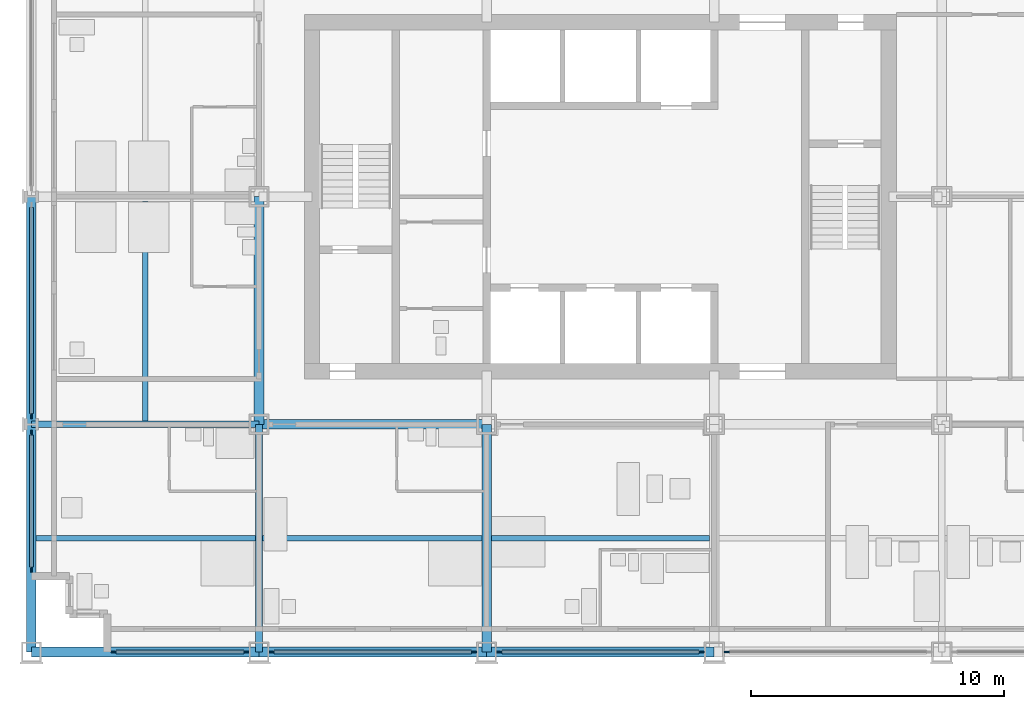
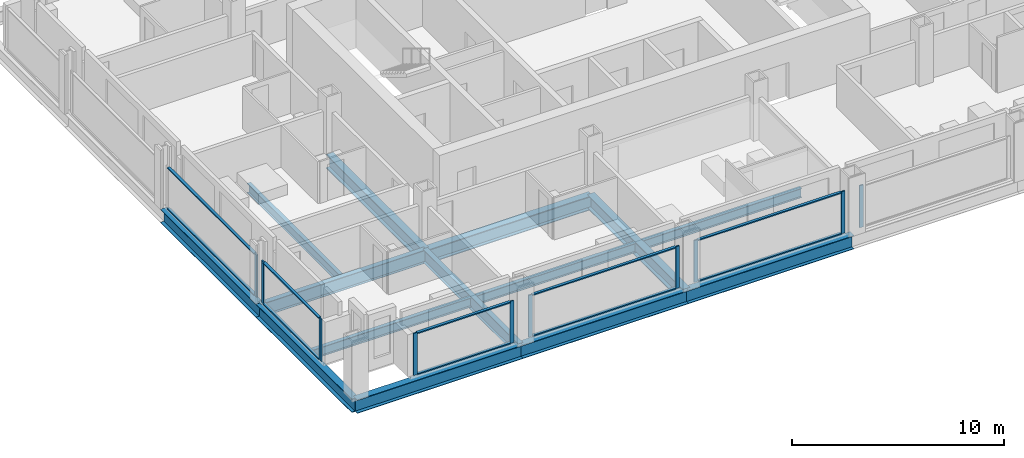
# One storey, part 2 of 18: 20 members, 14 beams, 6 elements without a shape of their own.
"""IFC4 building model written with IfcOpenShell, lengths in metres."""

from ifc_helpers import new_model, si_unit, direction, frame, origin, origin_2d, place, context, subcontext, project, spatial, rectangle, i_section, extrude, material, material_profile, profile_set, type_object, element, aggregate, save


model = new_model("IFC4")

# Units and contexts
model_context = context("Model", 3, precision=1e-05, world=origin(), true_north=direction((0.0, 1.0)))
body_context = subcontext(model_context, "Body", "Model", "MODEL_VIEW")
ifc_project = project(units=[si_unit("LENGTHUNIT", "METRE"), si_unit("AREAUNIT", "SQUARE_METRE"), si_unit("VOLUMEUNIT", "CUBIC_METRE"), si_unit("PLANEANGLEUNIT", "RADIAN"), si_unit("MASSUNIT", "GRAM", prefix="KILO")], contexts=[model_context])

# Site, building, storey
site_placement = place(None, origin())
site = spatial("IfcSite", under=ifc_project, at=site_placement, CompositionType="ELEMENT")
building_placement = place(site_placement, origin())
building = spatial("IfcBuilding", under=site, at=building_placement, Name="Loomwork Tower", CompositionType="ELEMENT")
storey_placement = place(building_placement, frame((0.0, 0.0, 75.60009765625)))
storey = spatial("IfcBuildingStorey", under=building, at=storey_placement, Name="L19", CompositionType="ELEMENT", Elevation=75.60009765625)

# Beams
ifc_material_1 = material(Name="Steel ASTM A992", Category="steel")
ifc_material_profile_1 = material_profile(ifc_material_1, i_section(OverallWidth=0.383544921875, OverallDepth=0.794921875, WebThickness=0.02099609375, FlangeThickness=0.0380859375, at=origin_2d()), Name="W30x235")
ifc_profile_set_1 = profile_set([ifc_material_profile_1], Name="Steel ASTM A992")
beam_type_1 = type_object("IfcBeamType", Name="CORE FLANK GIRDER W30x235", PredefinedType="BEAM", material=ifc_profile_set_1)
for number, where, z_axis, x_axis, name in (
    (1, (9.0, 9.0, -0.59765625), (1.0, 0.0, 0.0), (0.0, 1.0, 0.0), "Core Flank Girder E/3-E/4 L19"),
    (2, (9.0, 9.0, -0.59765625), (0.0, 1.0, 0.0), (-1.0, 0.0, 0.0), "Core Flank Girder E/3-F/3 L19"),
    (3, (18.0, 0.0, -0.59765625), (0.0, 1.0, 0.0), (-1.0, 0.0, 0.0), "Core Flank Girder D/4-E/4 L19"),
):
    element("IfcBeam", number, at=place(storey_placement, frame(where, z_axis=z_axis, x_axis=x_axis)), inside=storey, type_object=beam_type_1, Name=name, PredefinedType="BEAM", context=body_context, shape_type="SweptSolid", body=[
        extrude(i_section(OverallWidth=0.383544921875, OverallDepth=0.794921875, WebThickness=0.02099609375, FlangeThickness=0.0380859375, at=origin_2d()), origin(), (0.0, 0.0, 1.0), 9.0),
    ])
ifc_material_2 = material(Name="Steel ASTM A992", Category="steel")
ifc_material_profile_2 = material_profile(ifc_material_2, i_section(OverallWidth=0.2666015625, OverallDepth=0.761962890625, WebThickness=0.014404296875, FlangeThickness=0.021484375, at=origin_2d()), Name="W30x116")
ifc_profile_set_2 = profile_set([ifc_material_profile_2], Name="Steel ASTM A992")
beam_type_2 = type_object("IfcBeamType", Name="FLOOR GIRDER W30x116", PredefinedType="BEAM", material=ifc_profile_set_2)
for number, where, z_axis, x_axis, name in (
    (4, (0.0, 9.0, -0.5810546875), (1.0, 0.0, 0.0), (0.0, 1.0, 0.0), "Floor Girder E/2-E/3 L19"),
    (5, (9.0, 0.0, -0.5810546875), (0.0, 1.0, 0.0), (-1.0, 0.0, 0.0), "Floor Girder D/3-E/3 L19"),
):
    element("IfcBeam", number, at=place(storey_placement, frame(where, z_axis=z_axis, x_axis=x_axis)), inside=storey, type_object=beam_type_2, Name=name, PredefinedType="BEAM", context=body_context, shape_type="SweptSolid", body=[
        extrude(i_section(OverallWidth=0.2666015625, OverallDepth=0.761962890625, WebThickness=0.014404296875, FlangeThickness=0.021484375, at=origin_2d()), origin(), (0.0, 0.0, 1.0), 9.0),
    ])
ifc_material_3 = material(Name="Steel ASTM A992", Category="steel")
ifc_material_profile_3 = material_profile(ifc_material_3, i_section(OverallWidth=0.2109375, OverallDepth=0.53857421875, WebThickness=0.011474609375, FlangeThickness=0.018798828125, at=origin_2d()), Name="W21x73")
ifc_profile_set_3 = profile_set([ifc_material_profile_3], Name="Steel ASTM A992")
beam_type_3 = type_object("IfcBeamType", Name="FLOOR JOIST W21x73", PredefinedType="JOIST", material=ifc_profile_set_3)
beam_1_placement = place(storey_placement, frame((0.18994140625, 4.5, -0.46923828125), z_axis=(1.0, 0.0, 0.0), x_axis=(0.0, 1.0, 0.0)))
element("IfcBeam", 6, at=beam_1_placement, inside=storey, type_object=beam_type_3, Name="Floor Joist 0.000,4.500-9.000,4.500 L19", PredefinedType="JOIST", context=body_context, shape_type="SweptSolid", body=[
    extrude(i_section(OverallWidth=0.2109375, OverallDepth=0.53857421875, WebThickness=0.011474609375, FlangeThickness=0.018798828125, at=origin_2d()), origin(), (0.0, 0.0, 1.0), 8.677001953125),
])
for number, where, z_axis, x_axis, name in (
    (7, (4.5, 9.133056640625, -0.46923828125), (0.0, 1.0, 0.0), (-1.0, 0.0, 0.0), "Floor Joist 4.500,9.000-4.500,18.000 L19"),
    (8, (9.133056640625, 4.5, -0.46923828125), (1.0, 0.0, 0.0), (0.0, 1.0, 0.0), "Floor Joist 9.000,4.500-18.000,4.500 L19"),
):
    element("IfcBeam", number, at=place(storey_placement, frame(where, z_axis=z_axis, x_axis=x_axis)), inside=storey, type_object=beam_type_3, Name=name, PredefinedType="JOIST", context=body_context, shape_type="SweptSolid", body=[
        extrude(i_section(OverallWidth=0.2109375, OverallDepth=0.53857421875, WebThickness=0.011474609375, FlangeThickness=0.018798828125, at=origin_2d()), origin(), (0.0, 0.0, 1.0), 8.676025390625),
    ])
beam_2_placement = place(storey_placement, frame((18.19091796875, 4.5, -0.46923828125), z_axis=(1.0, 0.0, 0.0), x_axis=(0.0, 1.0, 0.0)))
element("IfcBeam", 9, at=beam_2_placement, inside=storey, type_object=beam_type_3, Name="Floor Joist 18.000,4.500-27.000,4.500 L19", PredefinedType="JOIST", context=body_context, shape_type="SweptSolid", body=[
    extrude(i_section(OverallWidth=0.2109375, OverallDepth=0.53857421875, WebThickness=0.011474609375, FlangeThickness=0.018798828125, at=origin_2d()), origin(), (0.0, 0.0, 1.0), 8.6181640625),
])

# Curtain wall, members
ifc_material_4 = material(Name="Aluminium curtain wall frame", Category="aluminium")
curtain_wall_type = type_object("IfcCurtainWallType", Name="Outer skin glazing hotel", PredefinedType="NOTDEFINED", material=ifc_material_4)
curtain_wall_1_placement = place(storey_placement, origin())
curtain_wall_1 = element("IfcCurtainWall", 10, at=curtain_wall_1_placement, inside=storey, type_object=curtain_wall_type, Name="Outer skin glazing hotel cw/S-0", PredefinedType="NOTDEFINED")
ifc_material_5 = material(Name="Aluminium curtain wall frame", Category="aluminium")
ifc_material_profile_4 = material_profile(ifc_material_5, rectangle(XDim=0.06494140625, YDim=0.199951171875, at=origin_2d()), Name="AL 65x200")
ifc_profile_set_4 = profile_set([ifc_material_profile_4], Name="Aluminium curtain wall frame")
member_type_1 = type_object("IfcMemberType", Name="Outer skin glazing hotel mullion", PredefinedType="MULLION", material=ifc_profile_set_4)
member_1_placement = place(storey_placement, frame((3.25, 0.0, 0.0), z_axis=(0.0, 0.0, 1.0), x_axis=(0.0, 1.0, 0.0)))
member_1 = element("IfcMember", 11, at=member_1_placement, type_object=member_type_1, Name="CW1 mullion 1", PredefinedType="MULLION", context=body_context, shape_type="SweptSolid", body=[
    extrude(rectangle(XDim=0.06494140625, YDim=0.199951171875, at=origin_2d()), origin(), (0.0, 0.0, 1.0), 2.420166015625),
])
member_2_placement = place(storey_placement, frame((8.5, 0.0, 0.0), z_axis=(0.0, 0.0, 1.0), x_axis=(0.0, 1.0, 0.0)))
member_2 = element("IfcMember", 12, at=member_2_placement, type_object=member_type_1, Name="CW1 mullion 2", PredefinedType="MULLION", context=body_context, shape_type="SweptSolid", body=[
    extrude(rectangle(XDim=0.06494140625, YDim=0.199951171875, at=origin_2d()), origin(), (0.0, 0.0, 1.0), 2.420166015625),
])

curtain_wall_2_placement = place(storey_placement, origin())
curtain_wall_2 = element("IfcCurtainWall", 13, at=curtain_wall_2_placement, inside=storey, type_object=curtain_wall_type, Name="Outer skin glazing hotel cw/S-9", PredefinedType="NOTDEFINED")
member_3_placement = place(storey_placement, frame((9.5, 0.0, 0.0), z_axis=(0.0, 0.0, 1.0), x_axis=(0.0, 1.0, 0.0)))
member_3 = element("IfcMember", 14, at=member_3_placement, type_object=member_type_1, Name="CW1 mullion 1", PredefinedType="MULLION", context=body_context, shape_type="SweptSolid", body=[
    extrude(rectangle(XDim=0.06494140625, YDim=0.199951171875, at=origin_2d()), origin(), (0.0, 0.0, 1.0), 2.420166015625),
])
member_4_placement = place(storey_placement, frame((17.5, 0.0, 0.0), z_axis=(0.0, 0.0, 1.0), x_axis=(0.0, 1.0, 0.0)))
member_4 = element("IfcMember", 15, at=member_4_placement, type_object=member_type_1, Name="CW1 mullion 2", PredefinedType="MULLION", context=body_context, shape_type="SweptSolid", body=[
    extrude(rectangle(XDim=0.06494140625, YDim=0.199951171875, at=origin_2d()), origin(), (0.0, 0.0, 1.0), 2.420166015625),
])

curtain_wall_3_placement = place(storey_placement, origin())
curtain_wall_3 = element("IfcCurtainWall", 16, at=curtain_wall_3_placement, inside=storey, type_object=curtain_wall_type, Name="Outer skin glazing hotel cw/S-18", PredefinedType="NOTDEFINED")
member_5_placement = place(storey_placement, frame((18.5, 0.0, 0.0), z_axis=(0.0, 0.0, 1.0), x_axis=(0.0, 1.0, 0.0)))
member_5 = element("IfcMember", 17, at=member_5_placement, type_object=member_type_1, Name="CW1 mullion 1", PredefinedType="MULLION", context=body_context, shape_type="SweptSolid", body=[
    extrude(rectangle(XDim=0.06494140625, YDim=0.199951171875, at=origin_2d()), origin(), (0.0, 0.0, 1.0), 2.420166015625),
])
member_6_placement = place(storey_placement, frame((26.5, 0.0, 0.0), z_axis=(0.0, 0.0, 1.0), x_axis=(0.0, 1.0, 0.0)))
member_6 = element("IfcMember", 18, at=member_6_placement, type_object=member_type_1, Name="CW1 mullion 2", PredefinedType="MULLION", context=body_context, shape_type="SweptSolid", body=[
    extrude(rectangle(XDim=0.06494140625, YDim=0.199951171875, at=origin_2d()), origin(), (0.0, 0.0, 1.0), 2.420166015625),
])

# Curtain wall, member
curtain_wall_4_placement = place(storey_placement, origin())
curtain_wall_4 = element("IfcCurtainWall", 19, at=curtain_wall_4_placement, inside=storey, type_object=curtain_wall_type, Name="Outer skin glazing hotel cw/S-27", PredefinedType="NOTDEFINED")
member_7_placement = place(storey_placement, frame((27.5, 0.0, 0.0), z_axis=(0.0, 0.0, 1.0), x_axis=(0.0, 1.0, 0.0)))
member_7 = element("IfcMember", 20, at=member_7_placement, type_object=member_type_1, Name="CW1 mullion 1", PredefinedType="MULLION", context=body_context, shape_type="SweptSolid", body=[
    extrude(rectangle(XDim=0.06494140625, YDim=0.199951171875, at=origin_2d()), origin(), (0.0, 0.0, 1.0), 2.420166015625),
])
aggregate(curtain_wall_4, [member_7])

# Curtain wall, members
curtain_wall_5_placement = place(storey_placement, origin())
curtain_wall_5 = element("IfcCurtainWall", 21, at=curtain_wall_5_placement, inside=storey, type_object=curtain_wall_type, Name="Outer skin glazing hotel cw/W-0", PredefinedType="NOTDEFINED")
member_8_placement = place(storey_placement, frame((0.0, 8.672607421875, 0.0), z_axis=(0.0, 0.0, 1.0), x_axis=(1.0, 0.0, 0.0)))
member_8 = element("IfcMember", 22, at=member_8_placement, type_object=member_type_1, Name="CW1 mullion 1", PredefinedType="MULLION", context=body_context, shape_type="SweptSolid", body=[
    extrude(rectangle(XDim=0.06494140625, YDim=0.199951171875, at=origin_2d()), origin(), (0.0, 0.0, 1.0), 2.420166015625),
])
member_9_placement = place(storey_placement, frame((0.0, 3.25, 0.0), z_axis=(0.0, 0.0, 1.0), x_axis=(1.0, 0.0, 0.0)))
member_9 = element("IfcMember", 23, at=member_9_placement, type_object=member_type_1, Name="CW1 mullion 2", PredefinedType="MULLION", context=body_context, shape_type="SweptSolid", body=[
    extrude(rectangle(XDim=0.06494140625, YDim=0.199951171875, at=origin_2d()), origin(), (0.0, 0.0, 1.0), 2.420166015625),
])

# Curtain wall, member
curtain_wall_6_placement = place(storey_placement, origin())
curtain_wall_6 = element("IfcCurtainWall", 24, at=curtain_wall_6_placement, inside=storey, type_object=curtain_wall_type, Name="Outer skin glazing hotel cw/W-9", PredefinedType="NOTDEFINED")
member_10_placement = place(storey_placement, frame((0.0, 9.327392578125, 0.0), z_axis=(0.0, 0.0, 1.0), x_axis=(1.0, 0.0, 0.0)))
member_10 = element("IfcMember", 25, at=member_10_placement, type_object=member_type_1, Name="CW1 mullion 2", PredefinedType="MULLION", context=body_context, shape_type="SweptSolid", body=[
    extrude(rectangle(XDim=0.06494140625, YDim=0.199951171875, at=origin_2d()), origin(), (0.0, 0.0, 1.0), 2.420166015625),
])

# Member
ifc_material_6 = material(Name="Aluminium curtain wall frame", Category="aluminium")
ifc_material_profile_5 = material_profile(ifc_material_6, rectangle(XDim=0.14990234375, YDim=0.06494140625, at=origin_2d()), Name="AL 65x150")
ifc_profile_set_5 = profile_set([ifc_material_profile_5], Name="Aluminium curtain wall frame")
member_type_2 = type_object("IfcMemberType", Name="Outer skin glazing hotel transom", PredefinedType="USERDEFINED", material=ifc_profile_set_5)
member_11_placement = place(storey_placement, frame((3.35009765625, 0.0, 0.032470703125), z_axis=(1.0, 0.0, 0.0), x_axis=(0.0, 1.0, 0.0)))
member_11 = element("IfcMember", 26, at=member_11_placement, type_object=member_type_2, Name="CW1 transom 1.1", ObjectType="TRANSOM", PredefinedType="USERDEFINED", context=body_context, shape_type="SweptSolid", body=[
    extrude(rectangle(XDim=0.14990234375, YDim=0.06494140625, at=origin_2d()), origin(), (0.0, 0.0, 1.0), 5.0498046875),
])

member_12_placement = place(storey_placement, frame((3.35009765625, 0.0, 2.3876953125), z_axis=(1.0, 0.0, 0.0), x_axis=(0.0, 1.0, 0.0)))
member_12 = element("IfcMember", 27, at=member_12_placement, type_object=member_type_2, Name="CW1 transom 1.2", ObjectType="TRANSOM", PredefinedType="USERDEFINED", context=body_context, shape_type="SweptSolid", body=[
    extrude(rectangle(XDim=0.14990234375, YDim=0.06494140625, at=origin_2d()), origin(), (0.0, 0.0, 1.0), 5.0498046875),
])

aggregate(curtain_wall_1, [member_1, member_2, member_11, member_12])

member_13_placement = place(storey_placement, frame((9.60009765625, 0.0, 0.032470703125), z_axis=(1.0, 0.0, 0.0), x_axis=(0.0, 1.0, 0.0)))
member_13 = element("IfcMember", 28, at=member_13_placement, type_object=member_type_2, Name="CW1 transom 1.1", ObjectType="TRANSOM", PredefinedType="USERDEFINED", context=body_context, shape_type="SweptSolid", body=[
    extrude(rectangle(XDim=0.14990234375, YDim=0.06494140625, at=origin_2d()), origin(), (0.0, 0.0, 1.0), 7.7998046875),
])

member_14_placement = place(storey_placement, frame((9.60009765625, 0.0, 2.3876953125), z_axis=(1.0, 0.0, 0.0), x_axis=(0.0, 1.0, 0.0)))
member_14 = element("IfcMember", 29, at=member_14_placement, type_object=member_type_2, Name="CW1 transom 1.2", ObjectType="TRANSOM", PredefinedType="USERDEFINED", context=body_context, shape_type="SweptSolid", body=[
    extrude(rectangle(XDim=0.14990234375, YDim=0.06494140625, at=origin_2d()), origin(), (0.0, 0.0, 1.0), 7.7998046875),
])

aggregate(curtain_wall_2, [member_3, member_4, member_13, member_14])

member_15_placement = place(storey_placement, frame((18.60009765625, 0.0, 0.032470703125), z_axis=(1.0, 0.0, 0.0), x_axis=(0.0, 1.0, 0.0)))
member_15 = element("IfcMember", 30, at=member_15_placement, type_object=member_type_2, Name="CW1 transom 1.1", ObjectType="TRANSOM", PredefinedType="USERDEFINED", context=body_context, shape_type="SweptSolid", body=[
    extrude(rectangle(XDim=0.14990234375, YDim=0.06494140625, at=origin_2d()), origin(), (0.0, 0.0, 1.0), 7.7998046875),
])

member_16_placement = place(storey_placement, frame((18.60009765625, 0.0, 2.3876953125), z_axis=(1.0, 0.0, 0.0), x_axis=(0.0, 1.0, 0.0)))
member_16 = element("IfcMember", 31, at=member_16_placement, type_object=member_type_2, Name="CW1 transom 1.2", ObjectType="TRANSOM", PredefinedType="USERDEFINED", context=body_context, shape_type="SweptSolid", body=[
    extrude(rectangle(XDim=0.14990234375, YDim=0.06494140625, at=origin_2d()), origin(), (0.0, 0.0, 1.0), 7.7998046875),
])

aggregate(curtain_wall_3, [member_5, member_6, member_15, member_16])

member_17_placement = place(storey_placement, frame((0.0, 8.57275390625, 0.032470703125), z_axis=(0.0, -1.0, 0.0), x_axis=(1.0, 0.0, 0.0)))
member_17 = element("IfcMember", 32, at=member_17_placement, type_object=member_type_2, Name="CW1 transom 1.1", ObjectType="TRANSOM", PredefinedType="USERDEFINED", context=body_context, shape_type="SweptSolid", body=[
    extrude(rectangle(XDim=0.14990234375, YDim=0.06494140625, at=origin_2d()), origin(), (0.0, 0.0, 1.0), 5.22265625),
])

member_18_placement = place(storey_placement, frame((0.0, 8.57275390625, 2.3876953125), z_axis=(0.0, -1.0, 0.0), x_axis=(1.0, 0.0, 0.0)))
member_18 = element("IfcMember", 33, at=member_18_placement, type_object=member_type_2, Name="CW1 transom 1.2", ObjectType="TRANSOM", PredefinedType="USERDEFINED", context=body_context, shape_type="SweptSolid", body=[
    extrude(rectangle(XDim=0.14990234375, YDim=0.06494140625, at=origin_2d()), origin(), (0.0, 0.0, 1.0), 5.22265625),
])

aggregate(curtain_wall_5, [member_8, member_9, member_17, member_18])

member_19_placement = place(storey_placement, frame((0.0, 17.57275390625, 0.032470703125), z_axis=(0.0, -1.0, 0.0), x_axis=(1.0, 0.0, 0.0)))
member_19 = element("IfcMember", 34, at=member_19_placement, type_object=member_type_2, Name="CW1 transom 1.1", ObjectType="TRANSOM", PredefinedType="USERDEFINED", context=body_context, shape_type="SweptSolid", body=[
    extrude(rectangle(XDim=0.14990234375, YDim=0.06494140625, at=origin_2d()), origin(), (0.0, 0.0, 1.0), 8.1455078125),
])

member_20_placement = place(storey_placement, frame((0.0, 17.57275390625, 2.3876953125), z_axis=(0.0, -1.0, 0.0), x_axis=(1.0, 0.0, 0.0)))
member_20 = element("IfcMember", 35, at=member_20_placement, type_object=member_type_2, Name="CW1 transom 1.2", ObjectType="TRANSOM", PredefinedType="USERDEFINED", context=body_context, shape_type="SweptSolid", body=[
    extrude(rectangle(XDim=0.14990234375, YDim=0.06494140625, at=origin_2d()), origin(), (0.0, 0.0, 1.0), 8.1455078125),
])

aggregate(curtain_wall_6, [member_10, member_19, member_20])

# Beams
ifc_material_7 = material(Name="Steel ASTM A992", Category="steel")
ifc_material_profile_6 = material_profile(ifc_material_7, i_section(OverallWidth=0.381103515625, OverallDepth=0.77978515625, WebThickness=0.01806640625, FlangeThickness=0.0302734375, at=origin_2d()), Name="W30x191")
ifc_profile_set_6 = profile_set([ifc_material_profile_6], Name="Steel ASTM A992")
beam_type_4 = type_object("IfcBeamType", Name="SPANDREL GIRDER W30x191", PredefinedType="SPANDREL", material=ifc_profile_set_6)
for number, where, z_axis, x_axis, name in (
    (36, (0.0, 0.0, -0.590087890625), (1.0, 0.0, 0.0), (0.0, 1.0, 0.0), "Spandrel Girder D/2-D/3 L19"),
    (37, (9.0, 0.0, -0.590087890625), (1.0, 0.0, 0.0), (0.0, 1.0, 0.0), "Spandrel Girder D/3-D/4 L19"),
    (38, (18.0, 0.0, -0.590087890625), (1.0, 0.0, 0.0), (0.0, 1.0, 0.0), "Spandrel Girder D/4-D/5 L19"),
    (39, (0.0, 0.0, -0.590087890625), (0.0, 1.0, 0.0), (-1.0, 0.0, 0.0), "Spandrel Girder D/2-E/2 L19"),
    (40, (0.0, 9.0, -0.590087890625), (0.0, 1.0, 0.0), (-1.0, 0.0, 0.0), "Spandrel Girder E/2-F/2 L19"),
):
    element("IfcBeam", number, at=place(storey_placement, frame(where, z_axis=z_axis, x_axis=x_axis)), inside=storey, type_object=beam_type_4, Name=name, PredefinedType="SPANDREL", context=body_context, shape_type="SweptSolid", body=[
        extrude(i_section(OverallWidth=0.381103515625, OverallDepth=0.77978515625, WebThickness=0.01806640625, FlangeThickness=0.0302734375, at=origin_2d()), origin(), (0.0, 0.0, 1.0), 9.0),
    ])

save(model, "model.ifc")
